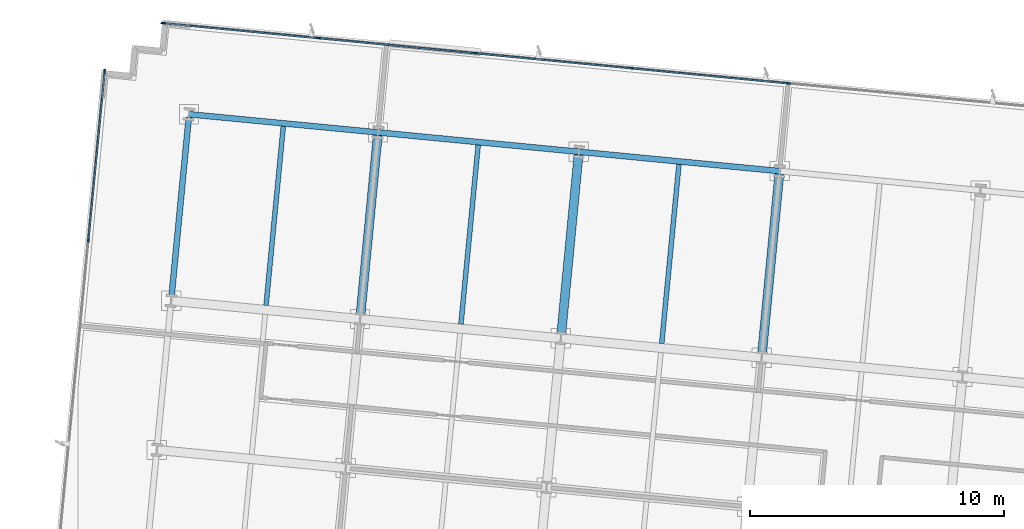
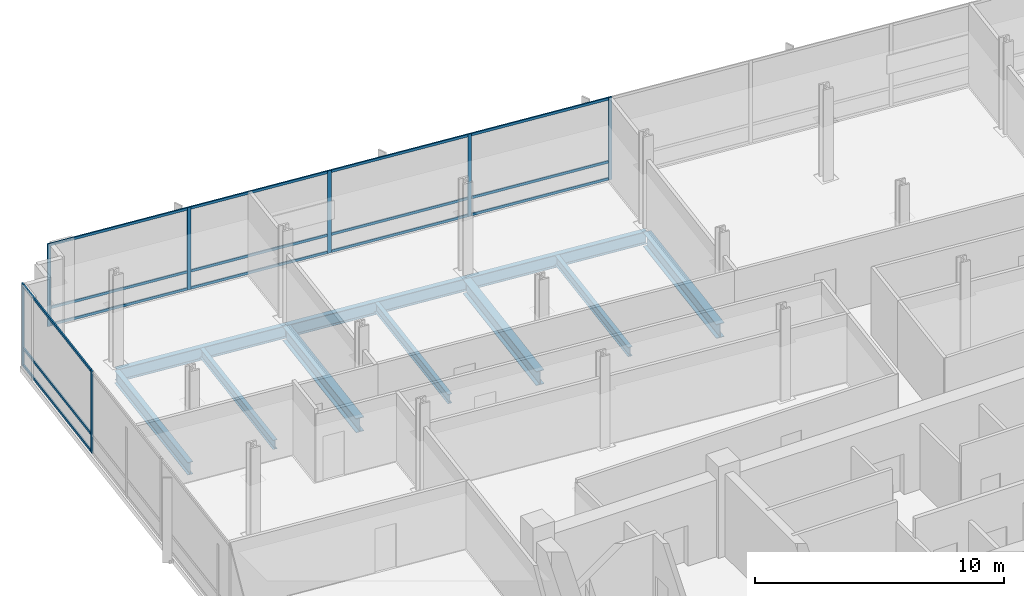
# One storey, part 8 of 17: 22 members, 10 beams, 2 elements without a shape of their own.
"""IFC4 building model written with IfcOpenShell, lengths in metres."""

from ifc_helpers import new_model, si_unit, direction, frame, origin, origin_2d, place, context, subcontext, project, spatial, rectangle, i_section, extrude, material, material_profile, profile_set, type_object, element, aggregate, save


model = new_model("IFC4")

# Units and contexts
model_context = context("Model", 3, precision=1e-05, world=origin(), true_north=direction((0.0, 1.0)))
body_context = subcontext(model_context, "Body", "Model", "MODEL_VIEW")
ifc_project = project(units=[si_unit("LENGTHUNIT", "METRE"), si_unit("AREAUNIT", "SQUARE_METRE"), si_unit("VOLUMEUNIT", "CUBIC_METRE"), si_unit("PLANEANGLEUNIT", "RADIAN"), si_unit("MASSUNIT", "GRAM", prefix="KILO")], contexts=[model_context])

# Site, building, storey
site_placement = place(None, origin())
site = spatial("IfcSite", under=ifc_project, at=site_placement, CompositionType="ELEMENT")
building_placement = place(site_placement, origin())
building = spatial("IfcBuilding", under=site, at=building_placement, Name="Solmavex Isthmus Hotel", CompositionType="ELEMENT")
storey_placement = place(building_placement, frame((0.0, 0.0, 181.800048828125)))
storey = spatial("IfcBuildingStorey", under=building, at=storey_placement, Name="L49", CompositionType="ELEMENT", Elevation=181.800048828125)

# Beams
ifc_material_1 = material(Name="Steel ASTM A992 Grade 50", Category="steel")
ifc_material_profile_1 = material_profile(ifc_material_1, i_section(OverallWidth=0.354736328125, OverallDepth=0.695556640625, WebThickness=0.015380859375, FlangeThickness=0.02490234375, FilletRadius=0.017822265625, at=origin_2d()), Name="W27X146")
ifc_profile_set_1 = profile_set([ifc_material_profile_1], Name="Steel ASTM A992 Grade 50")
beam_type_1 = type_object("IfcBeamType", Name="BM-BG-W27X146", PredefinedType="BEAM", material=ifc_profile_set_1)
beam_1_placement = place(storey_placement, frame((-15.254150390625, 13.07275390625, -0.60791015625), z_axis=(0.095839524498, 0.995396798038, 0.0), x_axis=(-0.995396798038, 0.095839524498, 0.0)))
element("IfcBeam", 1, at=beam_1_placement, inside=storey, type_object=beam_type_1, Name="Floor Beam L49-VG26", PredefinedType="BEAM", context=body_context, shape_type="SweptSolid", body=[
    extrude(i_section(OverallWidth=0.354736328125, OverallDepth=0.695556640625, WebThickness=0.015380859375, FlangeThickness=0.02490234375, FilletRadius=0.017822265625, at=origin_2d()), origin(), (0.0, 0.0, 1.0), 7.099609375),
])
beam_2_placement = place(storey_placement, frame((-7.3349609375, 12.310302734375, -0.60791015625), z_axis=(0.09587687835, 0.9953932008, 0.0), x_axis=(-0.9953932008, 0.09587687835, 0.0)))
element("IfcBeam", 2, at=beam_2_placement, inside=storey, type_object=beam_type_1, Name="Floor Beam L49-VG29", PredefinedType="BEAM", context=body_context, shape_type="SweptSolid", body=[
    extrude(i_section(OverallWidth=0.354736328125, OverallDepth=0.695556640625, WebThickness=0.015380859375, FlangeThickness=0.02490234375, FilletRadius=0.017822265625, at=origin_2d()), origin(), (0.0, 0.0, 1.0), 7.099365234375),
])
beam_3_placement = place(storey_placement, frame((0.58447265625, 11.547607421875, -0.60791015625), z_axis=(0.095839524498, 0.995396798038, 0.0), x_axis=(-0.995396798038, 0.095839524498, 0.0)))
element("IfcBeam", 3, at=beam_3_placement, inside=storey, type_object=beam_type_1, Name="Floor Beam L49-VG32", PredefinedType="BEAM", context=body_context, shape_type="SweptSolid", body=[
    extrude(i_section(OverallWidth=0.354736328125, OverallDepth=0.695556640625, WebThickness=0.015380859375, FlangeThickness=0.02490234375, FilletRadius=0.017822265625, at=origin_2d()), origin(), (0.0, 0.0, 1.0), 7.099609375),
])
ifc_material_profile_2 = material_profile(ifc_material_1, i_section(OverallWidth=0.1904296875, OverallDepth=0.456787109375, WebThickness=0.009033203125, FlangeThickness=0.014404296875, FilletRadius=0.0126953125, at=origin_2d()), Name="W18X50")
ifc_profile_set_2 = profile_set([ifc_material_profile_2], Name="Steel ASTM A992 Grade 50")
beam_type_2 = type_object("IfcBeamType", Name="BM-BJ-W18X50", PredefinedType="JOIST", material=ifc_profile_set_2)
for number, where, z_axis, x_axis, name in (
    (4, (-18.98095703125, 13.431640625, -0.488525390625), (0.095842805175, 0.99539648216, 0.0), (-0.99539648216, 0.095842805175, 0.0), "Secondary Floor Joist L49-J03"),
    (5, (-11.29443359375, 12.691650390625, -0.488525390625), (0.095842805175, 0.99539648216, 0.0), (-0.99539648216, 0.095842805175, 0.0), "Secondary Floor Joist L49-J06"),
    (6, (-3.375244140625, 11.928955078125, -0.488525390625), (0.09587687835, 0.9953932008, 0.0), (-0.9953932008, 0.09587687835, 0.0), "Secondary Floor Joist L49-J09"),
):
    element("IfcBeam", number, at=place(storey_placement, frame(where, z_axis=z_axis, x_axis=x_axis)), inside=storey, type_object=beam_type_2, Name=name, PredefinedType="JOIST", context=body_context, shape_type="SweptSolid", body=[
        extrude(i_section(OverallWidth=0.1904296875, OverallDepth=0.456787109375, WebThickness=0.009033203125, FlangeThickness=0.014404296875, FilletRadius=0.0126953125, at=origin_2d()), origin(), (0.0, 0.0, 1.0), 7.099365234375),
    ])
ifc_material_profile_3 = material_profile(ifc_material_1, i_section(OverallWidth=0.230224609375, OverallDepth=0.617431640625, WebThickness=0.01318359375, FlangeThickness=0.022216796875, FilletRadius=0.01513671875, at=origin_2d()), Name="W24X94")
ifc_profile_set_3 = profile_set([ifc_material_profile_3], Name="Steel ASTM A992 Grade 50")
beam_type_3 = type_object("IfcBeamType", Name="BM-SP-W24X94", PredefinedType="SPANDREL", material=ifc_profile_set_3)
beam_4_placement = place(storey_placement, frame((-22.016357421875, 20.971923828125, -0.56884765625), z_axis=(0.995395279593, -0.095855293875, 0.0), x_axis=(0.095855293875, 0.995395279593, 0.0)))
element("IfcBeam", 7, at=beam_4_placement, inside=storey, type_object=beam_type_3, Name="Floor Girder L49-UG15", PredefinedType="SPANDREL", context=body_context, shape_type="SweptSolid", body=[
    extrude(i_section(OverallWidth=0.230224609375, OverallDepth=0.617431640625, WebThickness=0.01318359375, FlangeThickness=0.022216796875, FilletRadius=0.01513671875, at=origin_2d()), origin(), (0.0, 0.0, 1.0), 7.488037109375),
])
for number, where, z_axis, x_axis, name in (
    (8, (-14.562744140625, 20.254150390625, -0.56884765625), (0.995397440011, -0.095832856685, 0.0), (0.095832856685, 0.995397440011, 0.0), "Floor Girder L49-UG16"),
    (9, (-6.643310546875, 19.49169921875, -0.56884765625), (0.995394512348, -0.095863260885, 0.0), (0.095863260885, 0.995394512348, 0.0), "Floor Girder L49-UG17"),
):
    element("IfcBeam", number, at=place(storey_placement, frame(where, z_axis=z_axis, x_axis=x_axis)), inside=storey, type_object=beam_type_3, Name=name, PredefinedType="SPANDREL", context=body_context, shape_type="SweptSolid", body=[
        extrude(i_section(OverallWidth=0.230224609375, OverallDepth=0.617431640625, WebThickness=0.01318359375, FlangeThickness=0.022216796875, FilletRadius=0.01513671875, at=origin_2d()), origin(), (0.0, 0.0, 1.0), 7.9560546875),
    ])
beam_5_placement = place(storey_placement, frame((-22.707763671875, 13.79052734375, -0.56884765625), z_axis=(0.095842805175, 0.99539648216, 0.0), x_axis=(-0.99539648216, 0.095842805175, 0.0)))
element("IfcBeam", 10, at=beam_5_placement, inside=storey, type_object=beam_type_3, Name="Floor Beam L49-VG23", PredefinedType="SPANDREL", context=body_context, shape_type="SweptSolid", body=[
    extrude(i_section(OverallWidth=0.230224609375, OverallDepth=0.617431640625, WebThickness=0.01318359375, FlangeThickness=0.022216796875, FilletRadius=0.01513671875, at=origin_2d()), origin(), (0.0, 0.0, 1.0), 7.099365234375),
])

# Curtain wall, members
ifc_material_2 = material(Name="Aluminium alloy 6063-T6", Category="aluminium")
curtain_wall_type = type_object("IfcCurtainWallType", Name="CW-SYS-05", PredefinedType="NOTDEFINED", material=ifc_material_2)
curtain_wall_1_placement = place(storey_placement, origin())
curtain_wall_1 = element("IfcCurtainWall", 11, at=curtain_wall_1_placement, inside=storey, type_object=curtain_wall_type, Name="Stick Curtain Wall CWL-L49-N1", PredefinedType="NOTDEFINED")
ifc_material_profile_4 = material_profile(ifc_material_2, rectangle(XDim=0.06494140625, YDim=0.159912109375, at=origin_2d()), Name="CWM-65X160")
ifc_profile_set_4 = profile_set([ifc_material_profile_4], Name="Aluminium alloy 6063-T6")
member_type_1 = type_object("IfcMemberType", Name="CW-SYS-05-MUL", PredefinedType="MULLION", material=ifc_profile_set_4)
member_1_placement = place(storey_placement, frame((-23.0439453125, 24.56689453125, 0.0), z_axis=(0.0, 0.0, 1.0), x_axis=(0.09584556901, 0.995396216037, 0.0)))
member_1 = element("IfcMember", 12, at=member_1_placement, type_object=member_type_1, Name="CW-05 mullion 1", PredefinedType="MULLION", context=body_context, shape_type="SweptSolid", body=[
    extrude(rectangle(XDim=0.06494140625, YDim=0.159912109375, at=origin_2d()), origin(), (0.0, 0.0, 1.0), 4.050048828125),
])
member_2_placement = place(storey_placement, frame((-16.90478515625, 23.975830078125, 0.0), z_axis=(0.0, 0.0, 1.0), x_axis=(0.09584556901, 0.995396216037, 0.0)))
member_2 = element("IfcMember", 13, at=member_2_placement, type_object=member_type_1, Name="CW-05 mullion 2", PredefinedType="MULLION", context=body_context, shape_type="SweptSolid", body=[
    extrude(rectangle(XDim=0.06494140625, YDim=0.159912109375, at=origin_2d()), origin(), (0.0, 0.0, 1.0), 4.050048828125),
])
member_3_placement = place(storey_placement, frame((-10.7333984375, 23.381591796875, 0.0), z_axis=(0.0, 0.0, 1.0), x_axis=(0.09584556901, 0.995396216037, 0.0)))
member_3 = element("IfcMember", 14, at=member_3_placement, type_object=member_type_1, Name="CW-05 mullion 3", PredefinedType="MULLION", context=body_context, shape_type="SweptSolid", body=[
    extrude(rectangle(XDim=0.06494140625, YDim=0.159912109375, at=origin_2d()), origin(), (0.0, 0.0, 1.0), 4.050048828125),
])
member_4_placement = place(storey_placement, frame((-4.56201171875, 22.787353515625, 0.0), z_axis=(0.0, 0.0, 1.0), x_axis=(0.09584556901, 0.995396216037, 0.0)))
member_4 = element("IfcMember", 15, at=member_4_placement, type_object=member_type_1, Name="CW-05 mullion 4", PredefinedType="MULLION", context=body_context, shape_type="SweptSolid", body=[
    extrude(rectangle(XDim=0.06494140625, YDim=0.159912109375, at=origin_2d()), origin(), (0.0, 0.0, 1.0), 4.050048828125),
])
member_5_placement = place(storey_placement, frame((1.609619140625, 22.193115234375, 0.0), z_axis=(0.0, 0.0, 1.0), x_axis=(0.09584556901, 0.995396216037, 0.0)))
member_5 = element("IfcMember", 16, at=member_5_placement, type_object=member_type_1, Name="CW-05 mullion 5", PredefinedType="MULLION", context=body_context, shape_type="SweptSolid", body=[
    extrude(rectangle(XDim=0.06494140625, YDim=0.159912109375, at=origin_2d()), origin(), (0.0, 0.0, 1.0), 4.050048828125),
])

curtain_wall_2_placement = place(storey_placement, origin())
curtain_wall_2 = element("IfcCurtainWall", 17, at=curtain_wall_2_placement, inside=storey, type_object=curtain_wall_type, Name="Stick Curtain Wall CWL-L49-W1", PredefinedType="NOTDEFINED")
member_6_placement = place(storey_placement, frame((-25.990234375, 16.010009765625, 0.0), z_axis=(0.0, 0.0, 1.0), x_axis=(-0.995396190038, 0.09584583902, 0.0)))
member_6 = element("IfcMember", 18, at=member_6_placement, type_object=member_type_1, Name="CW-05 mullion 5", PredefinedType="MULLION", context=body_context, shape_type="SweptSolid", body=[
    extrude(rectangle(XDim=0.06494140625, YDim=0.159912109375, at=origin_2d()), origin(), (0.0, 0.0, 1.0), 4.050048828125),
])
member_7_placement = place(storey_placement, frame((-25.34912109375, 22.666748046875, 0.0), z_axis=(0.0, 0.0, 1.0), x_axis=(-0.995396190038, 0.09584583902, 0.0)))
member_7 = element("IfcMember", 19, at=member_7_placement, type_object=member_type_1, Name="CW-05 mullion 6", PredefinedType="MULLION", context=body_context, shape_type="SweptSolid", body=[
    extrude(rectangle(XDim=0.06494140625, YDim=0.159912109375, at=origin_2d()), origin(), (0.0, 0.0, 1.0), 4.050048828125),
])

# Member
ifc_material_profile_5 = material_profile(ifc_material_2, rectangle(XDim=0.06494140625, YDim=0.125, at=origin_2d()), Name="CWT-65X125")
ifc_profile_set_5 = profile_set([ifc_material_profile_5], Name="Aluminium alloy 6063-T6")
member_type_2 = type_object("IfcMemberType", Name="CW-SYS-05-TRN", PredefinedType="USERDEFINED", material=ifc_profile_set_5)
member_8_placement = place(storey_placement, frame((-23.011474609375, 24.563720703125, 0.0625), z_axis=(0.995398761161, -0.095819133158, 0.0), x_axis=(0.095819133158, 0.995398761161, 0.0)))
member_8 = element("IfcMember", 20, at=member_8_placement, type_object=member_type_2, Name="CW-05 transom 1.1", ObjectType="TRANSOM", PredefinedType="USERDEFINED", context=body_context, shape_type="SweptSolid", body=[
    extrude(rectangle(XDim=0.06494140625, YDim=0.125, at=origin_2d()), origin(), (0.0, 0.0, 1.0), 6.102294921875),
])

member_9_placement = place(storey_placement, frame((-23.011474609375, 24.563720703125, 0.89990234375), z_axis=(0.995398761161, -0.095819133158, 0.0), x_axis=(0.095819133158, 0.995398761161, 0.0)))
member_9 = element("IfcMember", 21, at=member_9_placement, type_object=member_type_2, Name="CW-05 transom 1.2", ObjectType="TRANSOM", PredefinedType="USERDEFINED", context=body_context, shape_type="SweptSolid", body=[
    extrude(rectangle(XDim=0.06494140625, YDim=0.125, at=origin_2d()), origin(), (0.0, 0.0, 1.0), 6.102294921875),
])

member_10_placement = place(storey_placement, frame((-23.011474609375, 24.563720703125, 3.987548828125), z_axis=(0.995398761161, -0.095819133158, 0.0), x_axis=(0.095819133158, 0.995398761161, 0.0)))
member_10 = element("IfcMember", 22, at=member_10_placement, type_object=member_type_2, Name="CW-05 transom 1.3", ObjectType="TRANSOM", PredefinedType="USERDEFINED", context=body_context, shape_type="SweptSolid", body=[
    extrude(rectangle(XDim=0.06494140625, YDim=0.125, at=origin_2d()), origin(), (0.0, 0.0, 1.0), 6.102294921875),
])

member_11_placement = place(storey_placement, frame((-16.87255859375, 23.97265625, 0.0625), z_axis=(0.995398378252, -0.095823110851, 0.0), x_axis=(0.095823110851, 0.995398378252, 0.0)))
member_11 = element("IfcMember", 23, at=member_11_placement, type_object=member_type_2, Name="CW-05 transom 2.1", ObjectType="TRANSOM", PredefinedType="USERDEFINED", context=body_context, shape_type="SweptSolid", body=[
    extrude(rectangle(XDim=0.06494140625, YDim=0.125, at=origin_2d()), origin(), (0.0, 0.0, 1.0), 6.13525390625),
])

member_12_placement = place(storey_placement, frame((-16.87255859375, 23.97265625, 0.89990234375), z_axis=(0.995398378252, -0.095823110851, 0.0), x_axis=(0.095823110851, 0.995398378252, 0.0)))
member_12 = element("IfcMember", 24, at=member_12_placement, type_object=member_type_2, Name="CW-05 transom 2.2", ObjectType="TRANSOM", PredefinedType="USERDEFINED", context=body_context, shape_type="SweptSolid", body=[
    extrude(rectangle(XDim=0.06494140625, YDim=0.125, at=origin_2d()), origin(), (0.0, 0.0, 1.0), 6.13525390625),
])

member_13_placement = place(storey_placement, frame((-16.87255859375, 23.97265625, 3.987548828125), z_axis=(0.995398378252, -0.095823110851, 0.0), x_axis=(0.095823110851, 0.995398378252, 0.0)))
member_13 = element("IfcMember", 25, at=member_13_placement, type_object=member_type_2, Name="CW-05 transom 2.3", ObjectType="TRANSOM", PredefinedType="USERDEFINED", context=body_context, shape_type="SweptSolid", body=[
    extrude(rectangle(XDim=0.06494140625, YDim=0.125, at=origin_2d()), origin(), (0.0, 0.0, 1.0), 6.13525390625),
])

member_14_placement = place(storey_placement, frame((-10.700927734375, 23.37841796875, 0.0625), z_axis=(0.995398012842, -0.095826906606, 0.0), x_axis=(0.095826906606, 0.995398012842, 0.0)))
member_14 = element("IfcMember", 26, at=member_14_placement, type_object=member_type_2, Name="CW-05 transom 3.1", ObjectType="TRANSOM", PredefinedType="USERDEFINED", context=body_context, shape_type="SweptSolid", body=[
    extrude(rectangle(XDim=0.06494140625, YDim=0.125, at=origin_2d()), origin(), (0.0, 0.0, 1.0), 6.135009765625),
])

member_15_placement = place(storey_placement, frame((-10.700927734375, 23.37841796875, 0.89990234375), z_axis=(0.995398012842, -0.095826906606, 0.0), x_axis=(0.095826906606, 0.995398012842, 0.0)))
member_15 = element("IfcMember", 27, at=member_15_placement, type_object=member_type_2, Name="CW-05 transom 3.2", ObjectType="TRANSOM", PredefinedType="USERDEFINED", context=body_context, shape_type="SweptSolid", body=[
    extrude(rectangle(XDim=0.06494140625, YDim=0.125, at=origin_2d()), origin(), (0.0, 0.0, 1.0), 6.135009765625),
])

member_16_placement = place(storey_placement, frame((-10.700927734375, 23.37841796875, 3.987548828125), z_axis=(0.995398012842, -0.095826906606, 0.0), x_axis=(0.095826906606, 0.995398012842, 0.0)))
member_16 = element("IfcMember", 28, at=member_16_placement, type_object=member_type_2, Name="CW-05 transom 3.3", ObjectType="TRANSOM", PredefinedType="USERDEFINED", context=body_context, shape_type="SweptSolid", body=[
    extrude(rectangle(XDim=0.06494140625, YDim=0.125, at=origin_2d()), origin(), (0.0, 0.0, 1.0), 6.135009765625),
])

member_17_placement = place(storey_placement, frame((-4.529541015625, 22.7841796875, 0.0625), z_axis=(0.995398012842, -0.095826906606, 0.0), x_axis=(0.095826906606, 0.995398012842, 0.0)))
member_17 = element("IfcMember", 29, at=member_17_placement, type_object=member_type_2, Name="CW-05 transom 4.1", ObjectType="TRANSOM", PredefinedType="USERDEFINED", context=body_context, shape_type="SweptSolid", body=[
    extrude(rectangle(XDim=0.06494140625, YDim=0.125, at=origin_2d()), origin(), (0.0, 0.0, 1.0), 6.135009765625),
])

member_18_placement = place(storey_placement, frame((-4.529541015625, 22.7841796875, 0.89990234375), z_axis=(0.995398012842, -0.095826906606, 0.0), x_axis=(0.095826906606, 0.995398012842, 0.0)))
member_18 = element("IfcMember", 30, at=member_18_placement, type_object=member_type_2, Name="CW-05 transom 4.2", ObjectType="TRANSOM", PredefinedType="USERDEFINED", context=body_context, shape_type="SweptSolid", body=[
    extrude(rectangle(XDim=0.06494140625, YDim=0.125, at=origin_2d()), origin(), (0.0, 0.0, 1.0), 6.135009765625),
])

member_19_placement = place(storey_placement, frame((-4.529541015625, 22.7841796875, 3.987548828125), z_axis=(0.995398012842, -0.095826906606, 0.0), x_axis=(0.095826906606, 0.995398012842, 0.0)))
member_19 = element("IfcMember", 31, at=member_19_placement, type_object=member_type_2, Name="CW-05 transom 4.3", ObjectType="TRANSOM", PredefinedType="USERDEFINED", context=body_context, shape_type="SweptSolid", body=[
    extrude(rectangle(XDim=0.06494140625, YDim=0.125, at=origin_2d()), origin(), (0.0, 0.0, 1.0), 6.135009765625),
])

aggregate(curtain_wall_1, [member_1, member_2, member_3, member_4, member_5, member_8, member_9, member_10, member_11, member_12, member_13, member_14, member_15, member_16, member_17, member_18, member_19])

member_20_placement = place(storey_placement, frame((-25.987060546875, 16.042236328125, 0.0625), z_axis=(0.095849383604, 0.995395848727, 0.0), x_axis=(-0.995395848727, 0.095849383604, 0.0)))
member_20 = element("IfcMember", 32, at=member_20_placement, type_object=member_type_2, Name="CW-05 transom 5.1", ObjectType="TRANSOM", PredefinedType="USERDEFINED", context=body_context, shape_type="SweptSolid", body=[
    extrude(rectangle(XDim=0.06494140625, YDim=0.125, at=origin_2d()), origin(), (0.0, 0.0, 1.0), 6.62255859375),
])

member_21_placement = place(storey_placement, frame((-25.987060546875, 16.042236328125, 0.89990234375), z_axis=(0.095849383604, 0.995395848727, 0.0), x_axis=(-0.995395848727, 0.095849383604, 0.0)))
member_21 = element("IfcMember", 33, at=member_21_placement, type_object=member_type_2, Name="CW-05 transom 5.2", ObjectType="TRANSOM", PredefinedType="USERDEFINED", context=body_context, shape_type="SweptSolid", body=[
    extrude(rectangle(XDim=0.06494140625, YDim=0.125, at=origin_2d()), origin(), (0.0, 0.0, 1.0), 6.62255859375),
])

member_22_placement = place(storey_placement, frame((-25.987060546875, 16.042236328125, 3.987548828125), z_axis=(0.095849383604, 0.995395848727, 0.0), x_axis=(-0.995395848727, 0.095849383604, 0.0)))
member_22 = element("IfcMember", 34, at=member_22_placement, type_object=member_type_2, Name="CW-05 transom 5.3", ObjectType="TRANSOM", PredefinedType="USERDEFINED", context=body_context, shape_type="SweptSolid", body=[
    extrude(rectangle(XDim=0.06494140625, YDim=0.125, at=origin_2d()), origin(), (0.0, 0.0, 1.0), 6.62255859375),
])

aggregate(curtain_wall_2, [member_6, member_7, member_20, member_21, member_22])

save(model, "model.ifc")
